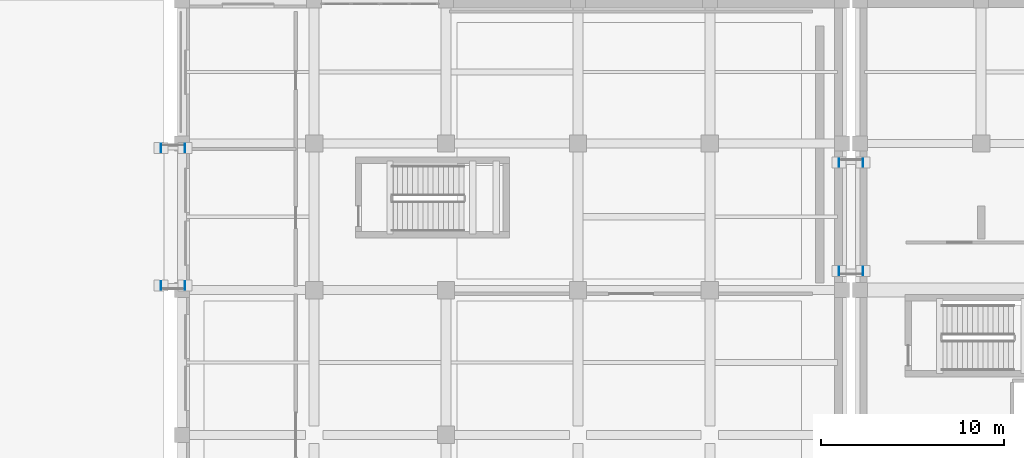
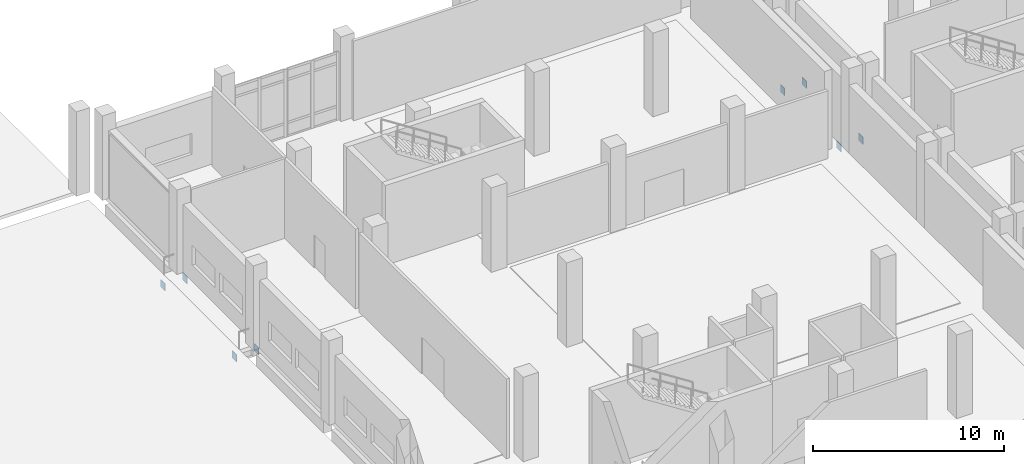
# One storey, part 66 of 79: 8 discrete accessories.
"""IFC4 building model written with IfcOpenShell, lengths in metres."""

from ifc_helpers import new_model, si_unit, direction, frame, origin, origin_2d, place, context, subcontext, project, spatial, rectangle, extrude, material, material_profile, profile_set, type_object, element, save


model = new_model("IFC4")

# Units and contexts
model_context = context("Model", 3, precision=1e-05, world=origin(), true_north=direction((0.0, 1.0)))
body_context = subcontext(model_context, "Body", "Model", "MODEL_VIEW")
ifc_project = project(units=[si_unit("LENGTHUNIT", "METRE"), si_unit("AREAUNIT", "SQUARE_METRE"), si_unit("VOLUMEUNIT", "CUBIC_METRE"), si_unit("PLANEANGLEUNIT", "RADIAN"), si_unit("MASSUNIT", "GRAM", prefix="KILO")], contexts=[model_context])

# Site, building, storey
site_placement = place(None, origin())
site = spatial("IfcSite", under=ifc_project, at=site_placement, CompositionType="ELEMENT")
building_placement = place(site_placement, origin())
building = spatial("IfcBuilding", under=site, at=building_placement, Name="Kelarvand Opera House", CompositionType="ELEMENT")
storey_placement = place(building_placement, origin())
storey = spatial("IfcBuildingStorey", under=building, at=storey_placement, Name="L00", CompositionType="ELEMENT", Elevation=0.0)

# Discrete accessories
ifc_material = material(Name="Steel S355", Category="steel")
ifc_material_profile = material_profile(ifc_material, rectangle(XDim=0.4599609375, YDim=0.4599609375, at=origin_2d()), Name="Welded Steel Hollow End-Cap Plate 460x460x24", Category="steel")
ifc_profile_set = profile_set([ifc_material_profile], Name="Steel S355")
discrete_accessory_type = type_object("IfcDiscreteAccessoryType", Name="Welded Steel Hollow End-Cap Plate 460x460x24", PredefinedType="SHOE", material=ifc_profile_set)
for number, where, z_axis, x_axis, name in (
    (1, (50.85791015625, 70.64990234375, -0.52001953125), (-1.0, 0.0, 0.0), (0.0, -1.0, 0.0), "Hollow Section Welded End Cap 9"),
    (2, (52.14208984375, 70.64990234375, -0.52001953125), (1.0, 0.0, 0.0), (0.0, 1.0, 0.0), "Hollow Section Welded End Cap 10"),
    (3, (50.85791015625, 78.14990234375, -0.52001953125), (-1.0, 0.0, 0.0), (0.0, -1.0, 0.0), "Hollow Section Welded End Cap 11"),
    (4, (52.14208984375, 78.14990234375, -0.52001953125), (1.0, 0.0, 0.0), (0.0, 1.0, 0.0), "Hollow Section Welded End Cap 12"),
    (5, (87.85791015625, 71.449951171875, -0.52001953125), (-1.0, 0.0, 0.0), (0.0, -1.0, 0.0), "Hollow Section Welded End Cap 33"),
    (6, (89.14208984375, 71.449951171875, -0.52001953125), (1.0, 0.0, 0.0), (0.0, 1.0, 0.0), "Hollow Section Welded End Cap 34"),
    (7, (87.85791015625, 77.35009765625, -0.52001953125), (-1.0, 0.0, 0.0), (0.0, -1.0, 0.0), "Hollow Section Welded End Cap 35"),
    (8, (89.14208984375, 77.35009765625, -0.52001953125), (1.0, 0.0, 0.0), (0.0, 1.0, 0.0), "Hollow Section Welded End Cap 36"),
):
    element("IfcDiscreteAccessory", number, at=place(storey_placement, frame(where, z_axis=z_axis, x_axis=x_axis)), inside=storey, type_object=discrete_accessory_type, Name=name, PredefinedType="SHOE", context=body_context, shape_type="SweptSolid", body=[
        extrude(rectangle(XDim=0.4599609375, YDim=0.4599609375, at=origin_2d()), origin(), (0.0, 0.0, 1.0), 0.035888671875),
    ])

save(model, "model.ifc")
